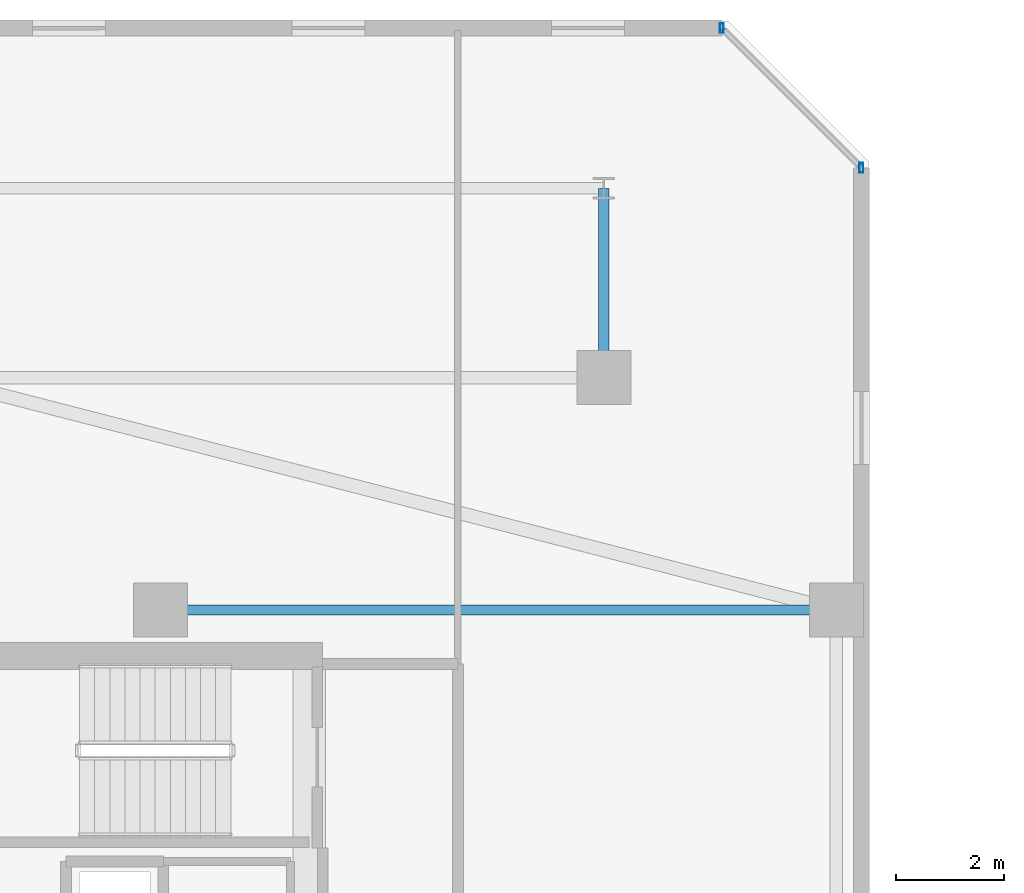
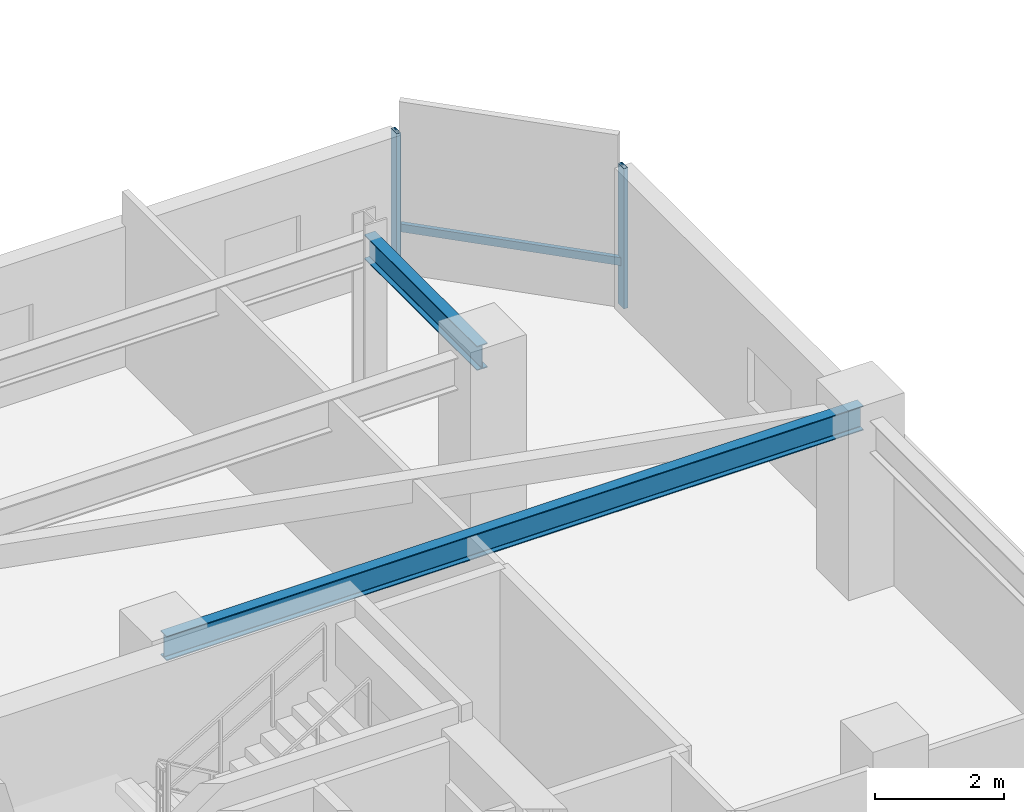
# One storey, part 10 of 33: 3 members, 2 beams, 1 element without a shape of its own.
"""IFC4 building model written with IfcOpenShell, lengths in metres."""

from ifc_helpers import new_model, si_unit, direction, frame, origin, origin_2d, place, context, subcontext, project, spatial, hollow_rectangle, i_section, extrude, material, material_profile, profile_set, type_object, element, aggregate, save


model = new_model("IFC4")

# Units and contexts
model_context = context("Model", 3, precision=1e-05, world=origin(), true_north=direction((0.0, 1.0)))
body_context = subcontext(model_context, "Body", "Model", "MODEL_VIEW")
ifc_project = project(units=[si_unit("LENGTHUNIT", "METRE"), si_unit("AREAUNIT", "SQUARE_METRE"), si_unit("VOLUMEUNIT", "CUBIC_METRE"), si_unit("PLANEANGLEUNIT", "RADIAN"), si_unit("MASSUNIT", "GRAM", prefix="KILO")], contexts=[model_context])

# Site, building, storey
site_placement = place(None, origin())
site = spatial("IfcSite", under=ifc_project, at=site_placement, CompositionType="ELEMENT")
building_placement = place(site_placement, origin())
building = spatial("IfcBuilding", under=site, at=building_placement, Name="Thornwick Lancets Civic Towers", CompositionType="ELEMENT")
storey_placement = place(building_placement, frame((0.0, 0.0, 218.10009765625)))
storey = spatial("IfcBuildingStorey", under=building, at=storey_placement, Name="L58", CompositionType="ELEMENT", Elevation=218.10009765625)

# Beams
ifc_material_1 = material(Name="Steel S355JR", Category="steel")
ifc_material_profile_1 = material_profile(ifc_material_1, i_section(OverallWidth=0.19189453125, OverallDepth=0.46337890625, WebThickness=0.010498046875, FlangeThickness=0.017578125, FilletRadius=0.01025390625, at=origin_2d()), Name="UKB 457x191x89")
ifc_profile_set_1 = profile_set([ifc_material_profile_1], Name="Steel S355JR")
beam_type = type_object("IfcBeamType", Name="BM_JOIST_457_89", PredefinedType="JOIST", material=ifc_profile_set_1)
beam_1_placement = place(storey_placement, frame((30.300048828125, 40.0, 3.048095703125), z_axis=(1.0, 0.0, 0.0), x_axis=(0.0, 1.0, 0.0)))
element("IfcBeam", 1, at=beam_1_placement, inside=storey, type_object=beam_type, Name="BM-RADIN-L58-A06", PredefinedType="JOIST", context=body_context, shape_type="SweptSolid", body=[
    extrude(i_section(OverallWidth=0.19189453125, OverallDepth=0.46337890625, WebThickness=0.010498046875, FlangeThickness=0.017578125, FilletRadius=0.01025390625, at=origin_2d()), origin(), (0.0, 0.0, 1.0), 12.5),
])
beam_2_placement = place(storey_placement, frame((38.5, 44.300048828125, 3.048095703125), z_axis=(0.0, 1.0, 0.0), x_axis=(-1.0, 0.0, 0.0)))
element("IfcBeam", 2, at=beam_2_placement, inside=storey, type_object=beam_type, Name="BM-RAD-L58-A09", PredefinedType="JOIST", context=body_context, shape_type="SweptSolid", body=[
    extrude(i_section(OverallWidth=0.19189453125, OverallDepth=0.46337890625, WebThickness=0.010498046875, FlangeThickness=0.017578125, FilletRadius=0.01025390625, at=origin_2d()), origin(), (0.0, 0.0, 1.0), 3.5),
])

# Curtain wall, members
ifc_material_2 = material(Name="High-zone chamfered-corner unitised glass curtain wall", Category="glass")
curtain_wall_type = type_object("IfcCurtainWallType", Name="CW_SYS_05", PredefinedType="NOTDEFINED", material=ifc_material_2)
curtain_wall_placement = place(storey_placement, origin())
curtain_wall = element("IfcCurtainWall", 3, at=curtain_wall_placement, inside=storey, type_object=curtain_wall_type, Name="L58 Curtain Wall CW-L58-A-E3", PredefinedType="NOTDEFINED")
ifc_material_3 = material(Name="Thermally broken bronze aluminium S355", Category="steel")
ifc_material_profile_2 = material_profile(ifc_material_3, hollow_rectangle(XDim=0.074951171875, YDim=0.179931640625, WallThickness=0.006103515625, at=origin_2d()), Name="RHS 180x75x6")
ifc_profile_set_2 = profile_set([ifc_material_profile_2], Name="Thermally broken bronze aluminium S355")
member_type_1 = type_object("IfcMemberType", Name="CW_MUL_180", PredefinedType="MULLION", material=ifc_profile_set_2)
member_1_placement = place(storey_placement, frame((43.2646484375, 48.181396484375, 0.0), z_axis=(0.0, 0.0, 1.0), x_axis=(1.0, 0.0, 0.0)))
member_1 = element("IfcMember", 4, at=member_1_placement, type_object=member_type_1, Name="CW-L58-A-E3 Mullion 0", PredefinedType="MULLION", context=body_context, shape_type="SweptSolid", body=[
    extrude(hollow_rectangle(XDim=0.074951171875, YDim=0.179931640625, WallThickness=0.006103515625, at=origin_2d()), origin(), (0.0, 0.0, 1.0), 2.659912109375),
])
member_2_placement = place(storey_placement, frame((40.681396484375, 50.7646484375, 0.0), z_axis=(0.0, 0.0, 1.0), x_axis=(1.0, 0.0, 0.0)))
member_2 = element("IfcMember", 5, at=member_2_placement, type_object=member_type_1, Name="CW-L58-A-E3 Mullion 1", PredefinedType="MULLION", context=body_context, shape_type="SweptSolid", body=[
    extrude(hollow_rectangle(XDim=0.074951171875, YDim=0.179931640625, WallThickness=0.006103515625, at=origin_2d()), origin(), (0.0, 0.0, 1.0), 2.659912109375),
])
ifc_material_profile_3 = material_profile(ifc_material_3, hollow_rectangle(XDim=0.074951171875, YDim=0.14990234375, WallThickness=0.0048828125, at=origin_2d()), Name="RHS 150x75x5")
ifc_profile_set_3 = profile_set([ifc_material_profile_3], Name="Thermally broken bronze aluminium S355")
member_type_2 = type_object("IfcMemberType", Name="CW_TRN_150", PredefinedType="USERDEFINED", material=ifc_profile_set_3)
member_3_placement = place(storey_placement, frame((43.25048828125, 48.195556640625, 0.849853515625), z_axis=(-0.707106781187, 0.707106781187, 0.0), x_axis=(-0.707106781187, -0.707106781187, 0.0)))
member_3 = element("IfcMember", 6, at=member_3_placement, type_object=member_type_2, Name="CW-L58-A-E3 Transom 0", ObjectType="TRANSOM", PredefinedType="USERDEFINED", context=body_context, shape_type="SweptSolid", body=[
    extrude(hollow_rectangle(XDim=0.074951171875, YDim=0.14990234375, WallThickness=0.0048828125, at=origin_2d()), origin(), (0.0, 0.0, 1.0), 3.61328125),
])
aggregate(curtain_wall, [member_1, member_2, member_3])

save(model, "model.ifc")
